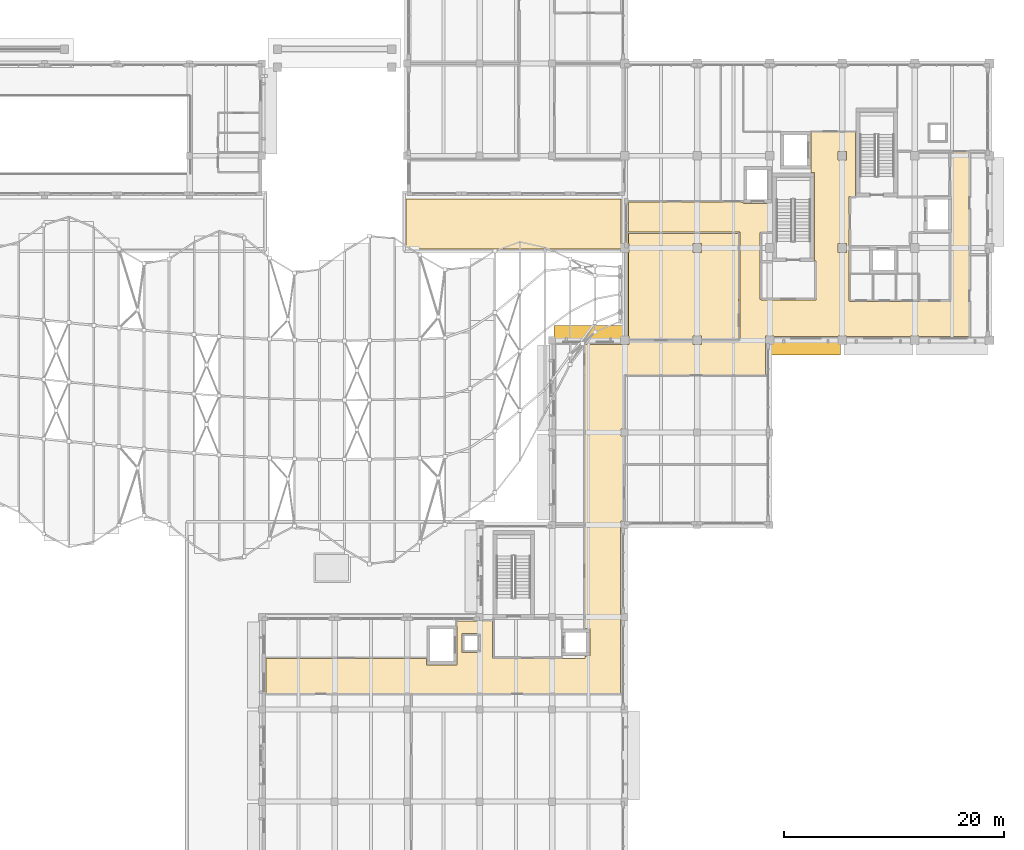
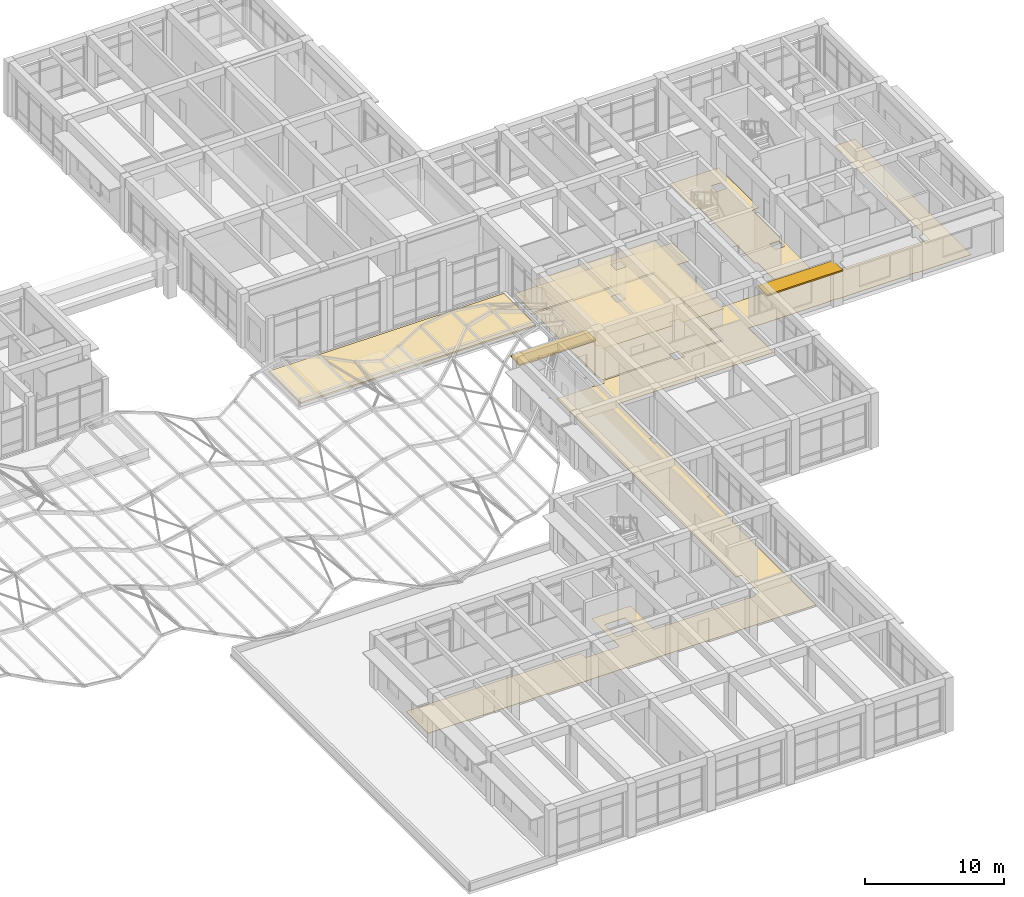
# One storey, part 76 of 79: 4 coverings, 2 shading devices.
"""IFC4 building model written with IfcOpenShell, lengths in metres."""

import ifcopenshell
import ifcopenshell.guid

model = None  # the IFC model being written
_history = None  # IfcOwnerHistory: only IFC2X3 demands one
_inside = {}  # id of a spatial element -> (the spatial element, [elements in it])
_under = {}  # id of a project, library or spatial element -> (it, [spatial elements below it])
_declared = {}  # id of a project -> (the project, [libraries it declares])
_typed = {}  # id of a type object -> (the type object, [elements of that type])
_made_of = {}  # id of a material, layer set ... -> (it, [elements and type objects made of it])


def new_model(schema):
    """Start an empty IFC model of exactly this schema.

    Asked for "IFC4X3", IfcOpenShell would pick the latest addendum, in which some entities
    have other attributes; the version numbers below select the first issue.
    IFC2X3 requires an IfcOwnerHistory on every rooted entity: one is made here for all.
    """
    global model, _history
    if schema == "IFC4X3":
        model = ifcopenshell.file(schema_version=(4, 3, 0, 0))
    else:
        model = ifcopenshell.file(schema=schema)
    _inside.clear()
    _under.clear()
    _declared.clear()
    _typed.clear()
    _made_of.clear()
    _history = None
    if model.schema == "IFC2X3":
        org = make("IfcOrganization", Name="unknown")
        user = make(
            "IfcPersonAndOrganization",
            ThePerson=make("IfcPerson", FamilyName="unknown"),
            TheOrganization=org,
        )
        app = make(
            "IfcApplication",
            ApplicationDeveloper=org,
            Version="unknown",
            ApplicationFullName="unknown",
            ApplicationIdentifier="unknown",
        )
        _history = make(
            "IfcOwnerHistory",
            OwningUser=user,
            OwningApplication=app,
            ChangeAction="ADDED",
            CreationDate=0,
        )
    return model


def make(cls, **values):
    """One entity of the class cls with the attributes given. An attribute that is None is left unset."""
    return model.create_entity(
        cls, **{name: value for name, value in values.items() if value is not None}
    )


def rooted(cls, **values):
    """An entity with a GlobalId (a new one), such as an element, a storey or a relation."""
    return make(cls, GlobalId=ifcopenshell.guid.new(), OwnerHistory=_history, **values)


def si_unit(unit_type, name, prefix=None):
    """IfcSIUnit, for example si_unit("LENGTHUNIT", "METRE", prefix="MILLI")."""
    return make("IfcSIUnit", UnitType=unit_type, Prefix=prefix, Name=name)


def assignment(units):
    """IfcUnitAssignment: the units of a project."""
    return None if units is None else make("IfcUnitAssignment", Units=units)


def point(xyz):
    """IfcCartesianPoint."""
    return None if xyz is None else make("IfcCartesianPoint", Coordinates=xyz)


def direction(xyz):
    """IfcDirection."""
    return None if xyz is None else make("IfcDirection", DirectionRatios=xyz)


def frame(location, z_axis=None, x_axis=None):
    """IfcAxis2Placement3D, a coordinate frame: its origin and axes. An axis left out is left unset."""
    return make(
        "IfcAxis2Placement3D",
        Location=point(location),
        Axis=direction(z_axis),
        RefDirection=direction(x_axis),
    )


def frame_2d(location, x_axis=None):
    """IfcAxis2Placement2D, a coordinate frame in the plane: its origin and x axis."""
    return make(
        "IfcAxis2Placement2D", Location=point(location), RefDirection=direction(x_axis)
    )


def origin():
    """The frame at (0, 0, 0) with its axes left unset."""
    return frame((0.0, 0.0, 0.0))


def origin_2d():
    """The frame at (0, 0) in the plane with its x axis left unset."""
    return frame_2d((0.0, 0.0))


def place(relative_to, where):
    """IfcLocalPlacement: puts the frame where relative to a parent placement (None: the world)."""
    return make(
        "IfcLocalPlacement", PlacementRelTo=relative_to, RelativePlacement=where
    )


def context(
    kind, dimensions, precision=None, world=None, true_north=None, identifier=None
):
    """IfcGeometricRepresentationContext, for example the 3D "Model" context."""
    return make(
        "IfcGeometricRepresentationContext",
        ContextIdentifier=identifier,
        ContextType=kind,
        CoordinateSpaceDimension=dimensions,
        Precision=precision,
        WorldCoordinateSystem=world,
        TrueNorth=true_north,
    )


def subcontext(parent, identifier, kind, view, scale=None):
    """IfcGeometricRepresentationSubContext, for example "Body" below "Model"."""
    return make(
        "IfcGeometricRepresentationSubContext",
        ContextIdentifier=identifier,
        ContextType=kind,
        ParentContext=parent,
        TargetScale=scale,
        TargetView=view,
    )


def project(units=None, contexts=None):
    """IfcProject with its units and contexts."""
    return rooted(
        "IfcProject",
        Name="project",
        RepresentationContexts=contexts,
        UnitsInContext=assignment(units),
    )


def spatial(cls, under=None, at=None, **own):
    """A site, building, storey or space (cls), placed at a placement, below another one or the project."""
    s = rooted(cls, ObjectPlacement=at, **own)
    if under is not None:
        _under.setdefault(under.id(), (under, []))[1].append(s)
    return s


def polyline(points):
    """IfcPolyline through the points."""
    return make("IfcPolyline", Points=[point(p) for p in points])


def profile(cls, at=None, kind="AREA", **sizes):
    """A parametric profile (cls). Its sizes go by their IFC names, for example OverallWidth=200.0."""
    return make(cls, ProfileType=kind, Position=at, **sizes)


def rectangle(**sizes):
    """IfcRectangleProfileDef."""
    return profile("IfcRectangleProfileDef", **sizes)


def outline(outer, holes=None, kind="AREA"):
    """IfcArbitraryClosedProfileDef: a profile drawn as a closed curve; with holes, ...WithVoids."""
    if holes is None:
        return make("IfcArbitraryClosedProfileDef", ProfileType=kind, OuterCurve=outer)
    return make(
        "IfcArbitraryProfileDefWithVoids",
        ProfileType=kind,
        OuterCurve=outer,
        InnerCurves=holes,
    )


def extrude(swept, where, along, depth):
    """IfcExtrudedAreaSolid: the profile swept, set in the frame where, extruded along a direction by depth."""
    return make(
        "IfcExtrudedAreaSolid",
        SweptArea=swept,
        Position=where,
        ExtrudedDirection=direction(along),
        Depth=depth,
    )


def shape(context_of_items, identifier, shape_type, items):
    """IfcShapeRepresentation: the items that make up one representation, for example the "Body"."""
    return make(
        "IfcShapeRepresentation",
        ContextOfItems=context_of_items,
        RepresentationIdentifier=identifier,
        RepresentationType=shape_type,
        Items=items,
    )


def material(Name=None, Category=None):
    """IfcMaterial."""
    return make("IfcMaterial", Name=Name, Category=Category)


def layer(
    of_material, thickness, ventilated=None, Name=None, Category=None, Priority=None
):
    """IfcMaterialLayer: one layer of a wall or slab, of a material (None: an air gap)."""
    return make(
        "IfcMaterialLayer",
        Material=of_material,
        LayerThickness=thickness,
        IsVentilated=ventilated,
        Name=Name,
        Category=Category,
        Priority=Priority,
    )


def layer_set(layers, Name=None):
    """IfcMaterialLayerSet."""
    return make("IfcMaterialLayerSet", MaterialLayers=layers, LayerSetName=Name)


def made_of(thing, what):
    """Note that an element or type object is made of a material, layer set ...; save() writes the relation."""
    if what is not None:
        _made_of.setdefault(what.id(), (what, []))[1].append(thing)
    return thing


def type_object(cls, material=None, **own):
    """A type object (cls), such as IfcWallType, which elements share."""
    return made_of(rooted(cls, **own), material)


def element(
    cls,
    number,
    at=None,
    inside=None,
    cuts=None,
    type_object=None,
    material=None,
    context=None,
    identifier="Body",
    shape_type=None,
    held_by="IfcProductDefinitionShape",
    body=None,
    shapes=None,
    **own,
):
    """One element of the class cls, such as IfcWall. Its Tag is "e" and its number.

    at: its placement. inside: the storey or other place that contains it. cuts: it is an
    opening in that element (IfcRelVoidsElement). A single representation is given by context,
    identifier, shape_type and body (its items); several are given by shapes. held_by: the class
    of the entity that holds the representations. save() writes the other relations.
    """
    e = rooted(cls, Tag="e%d" % number, ObjectPlacement=at, **own)
    if body is not None:
        shapes = [shape(context, identifier, shape_type, body)]
    if shapes is not None:
        e.Representation = make(held_by, Representations=shapes)
    if inside is not None:
        _inside.setdefault(inside.id(), (inside, []))[1].append(e)
    if cuts is not None:
        rooted(
            "IfcRelVoidsElement", RelatingBuildingElement=cuts, RelatedOpeningElement=e
        )
    if type_object is not None:
        _typed.setdefault(type_object.id(), (type_object, []))[1].append(e)
    return made_of(e, material)


def aggregate(whole, parts):
    """IfcRelAggregates: a whole, such as a stair, and the parts it consists of."""
    return rooted("IfcRelAggregates", RelatingObject=whole, RelatedObjects=parts)


def save(model, path):
    """Write the relations noted so far, then the file.

    IfcRelAggregates (storeys below a building ...), IfcRelContainedInSpatialStructure (elements
    in a storey), IfcRelDefinesByType, IfcRelAssociatesMaterial and IfcRelDeclares: one each for
    every whole, place, type object, material and project.
    """
    for whole, parts in _under.values():
        aggregate(whole, parts)
    for where, things in _inside.values():
        rooted(
            "IfcRelContainedInSpatialStructure",
            RelatedElements=things,
            RelatingStructure=where,
        )
    for kind, things in _typed.values():
        rooted("IfcRelDefinesByType", RelatedObjects=things, RelatingType=kind)
    for what, things in _made_of.values():
        rooted("IfcRelAssociatesMaterial", RelatedObjects=things, RelatingMaterial=what)
    for by, libraries in _declared.values():
        rooted("IfcRelDeclares", RelatingContext=by, RelatedDefinitions=libraries)
    model.write(path)


model = new_model("IFC4")

# Units and contexts
model_context = context("Model", 3, precision=1e-05, world=origin(), true_north=direction((0.0, 1.0)))
body_context = subcontext(model_context, "Body", "Model", "MODEL_VIEW")
ifc_project = project(units=[si_unit("LENGTHUNIT", "METRE"), si_unit("AREAUNIT", "SQUARE_METRE"), si_unit("VOLUMEUNIT", "CUBIC_METRE"), si_unit("PLANEANGLEUNIT", "RADIAN"), si_unit("MASSUNIT", "GRAM", prefix="KILO")], contexts=[model_context])

# Site, building, storey
site_placement = place(None, origin())
site = spatial("IfcSite", under=ifc_project, at=site_placement, CompositionType="ELEMENT")
building_placement = place(site_placement, origin())
building = spatial("IfcBuilding", under=site, at=building_placement, Name="Kolvaren Faculty of Natural Sciences", CompositionType="ELEMENT")
storey_placement = place(building_placement, frame((0.0, 0.0, 10.199951171875)))
storey = spatial("IfcBuildingStorey", under=building, at=storey_placement, Name="L02", CompositionType="ELEMENT", Elevation=10.199951171875)

# Covering
ifc_material_1 = material(Name="Perforated mineral-fibre acoustic suspended ceiling tile")
ifc_layer_1 = layer(ifc_material_1, 0.02490234375)
ifc_layer_set_1 = layer_set([ifc_layer_1], Name="Perforated mineral-fibre acoustic suspended ceiling tile")
covering_type_1 = type_object("IfcCoveringType", Name="AcousticSuspendedCeiling_25", PredefinedType="CEILING", material=ifc_layer_set_1)
covering_1_placement = place(storey_placement, frame((0.0, 0.0, 2.824951171875)))
element("IfcCovering", 1, at=covering_1_placement, inside=storey, type_object=covering_type_1, Name="L02 L02 Principal Investigator Research Laboratory acoustic ceiling", PredefinedType="CEILING", context=body_context, shape_type="SweptSolid", body=[
    extrude(outline(polyline([(139.02001953125, 67.0), (139.199951171875, 67.0), (139.199951171875, 67.800048828125), (139.02001953125, 67.800048828125), (139.02001953125, 68.8798828125), (149.280029296875, 68.8798828125), (149.280029296875, 58.919921875), (145.800048828125, 58.919921875), (145.800048828125, 59.39990234375), (145.0, 59.39990234375), (145.0, 58.919921875), (139.199951171875, 58.919921875), (139.199951171875, 59.39990234375), (139.02001953125, 59.39990234375), (139.02001953125, 67.0)]), holes=[polyline([(145.0, 67.800048828125), (145.0, 67.0), (145.800048828125, 67.0), (145.800048828125, 67.800048828125), (145.0, 67.800048828125)])]), origin(), (0.0, 0.0, 1.0), 0.025146484375),
])

# Shading devices
ifc_material_2 = material(Name="Precast concrete C35/45", Category="concrete")
ifc_layer_2 = layer(ifc_material_2, 0.1201171875)
ifc_layer_set_2 = layer_set([ifc_layer_2], Name="Precast concrete C35/45")
shading_device_type = type_object("IfcShadingDeviceType", Name="ChhajjaSolarHood_1350", PredefinedType="AWNING", material=ifc_layer_set_2)
for number, where, z_axis, x_axis, name in (
    (2, (135.5, 59.655029296875, 3.695068359375), (0.0, 0.0, 1.0), (1.0, 0.0, 0.0), "L02 precast sandstone chhajja solar hood 98"),
    (3, (155.300048828125, 58.344970703125, 3.695068359375), (0.0, 0.0, 1.0), (-1.0, 0.0, 0.0), "L02 precast sandstone chhajja solar hood 104"),
):
    element("IfcShadingDevice", number, at=place(storey_placement, frame(where, z_axis=z_axis, x_axis=x_axis)), inside=storey, type_object=shading_device_type, Name=name, PredefinedType="AWNING", context=body_context, shape_type="SweptSolid", body=[
        extrude(rectangle(XDim=6.300048828125, YDim=1.35009765625, at=origin_2d()), origin(), (0.0, 0.0, 1.0), 0.1201171875),
    ])

# Coverings
ifc_material_3 = material(Name="SBS polymer-modified bitumen waterproofing membrane over PIR insulation")
ifc_layer_3 = layer(ifc_material_3, 0.139892578125)
ifc_layer_set_3 = layer_set([ifc_layer_3], Name="SBS polymer-modified bitumen waterproofing membrane over PIR insulation")
covering_type_2 = type_object("IfcCoveringType", Name="InsulatedRoofMembrane_140", PredefinedType="ROOFING", material=ifc_layer_set_3)
covering_2_placement = place(storey_placement, origin())
element("IfcCovering", 4, at=covering_2_placement, inside=storey, type_object=covering_type_2, Name="L02 insulated warm-roof waterproofing membrane 1", PredefinedType="ROOFING", context=body_context, shape_type="SweptSolid", body=[
    extrude(outline(polyline([(118.889892578125, 71.87841796875), (118.89599609375, 71.87646484375), (118.897705078125, 71.875732421875), (118.912841796875, 71.871337890625), (118.914794921875, 71.870849609375), (118.9462890625, 71.8642578125), (118.947998046875, 71.864013671875), (118.98193359375, 71.860595703125), (118.98388671875, 71.8603515625), (119.0, 71.860107421875), (138.4599609375, 71.860107421875), (138.4599609375, 67.2900390625), (118.889892578125, 67.2900390625), (118.889892578125, 71.87841796875)])), origin(), (0.0, 0.0, 1.0), 0.14013671875),
])
ifc_material_4 = material(Name="Seamless chemical-resistant laboratory epoxy resin flooring")
ifc_layer_4 = layer(ifc_material_4, 0.02001953125)
ifc_layer_set_4 = layer_set([ifc_layer_4], Name="Seamless chemical-resistant laboratory epoxy resin flooring")
covering_type_3 = type_object("IfcCoveringType", Name="LabEpoxyFloorFinish_20", PredefinedType="FLOORING", material=ifc_layer_set_4)
covering_3_placement = place(storey_placement, origin())
element("IfcCovering", 5, at=covering_3_placement, inside=storey, type_object=covering_type_3, Name="L02 L02 Principal Investigator Research Laboratory floor finish", PredefinedType="FLOORING", context=body_context, shape_type="SweptSolid", body=[
    extrude(outline(polyline([(145.800048828125, 59.06005859375), (145.800048828125, 59.39990234375), (145.0, 59.39990234375), (145.0, 59.06005859375), (139.199951171875, 59.06005859375), (139.199951171875, 59.39990234375), (139.159912109375, 59.39990234375), (139.159912109375, 67.0), (139.199951171875, 67.0), (139.199951171875, 67.800048828125), (139.159912109375, 67.800048828125), (139.159912109375, 68.739990234375), (149.139892578125, 68.739990234375), (149.139892578125, 59.06005859375), (145.800048828125, 59.06005859375)]), holes=[polyline([(145.0, 67.800048828125), (145.0, 67.0), (145.800048828125, 67.0), (145.800048828125, 67.800048828125), (145.0, 67.800048828125)])]), origin(), (0.0, 0.0, 1.0), 0.02001953125),
])
ifc_material_5 = material(Name="Polished Uruguayan grey granite terrazzo flooring", Category="masonry")
ifc_layer_5 = layer(ifc_material_5, 0.030029296875)
ifc_layer_set_5 = layer_set([ifc_layer_5], Name="Polished Uruguayan grey granite terrazzo flooring")
covering_type_4 = type_object("IfcCoveringType", Name="TerrazzoFloorFinish_30", PredefinedType="FLOORING", material=ifc_layer_set_5)
covering_4_placement = place(storey_placement, origin())
element("IfcCovering", 6, at=covering_4_placement, inside=storey, type_object=covering_type_4, Name="L02 L02 Academic Concourse and Corridor floor finish", PredefinedType="FLOORING", context=body_context, shape_type="SweptSolid", body=[
    extrude(outline(polyline([(135.156005859375, 30.040283203125), (135.16162109375, 30.041259765625), (135.16748046875, 30.04248046875), (135.173095703125, 30.044677734375), (135.17822265625, 30.047119140625), (135.183349609375, 30.050048828125), (135.18798828125, 30.0537109375), (135.1923828125, 30.0576171875), (135.1962890625, 30.06201171875), (135.199951171875, 30.066650390625), (135.202880859375, 30.07177734375), (135.205322265625, 30.076904296875), (135.20751953125, 30.08251953125), (135.208740234375, 30.08837890625), (135.209716796875, 30.093994140625), (135.2099609375, 30.10009765625), (135.2099609375, 30.239990234375), (135.60009765625, 30.239990234375), (135.60595703125, 30.240234375), (135.61181640625, 30.2412109375), (135.617431640625, 30.24267578125), (135.623046875, 30.24462890625), (135.62841796875, 30.2470703125), (135.63330078125, 30.25), (135.63818359375, 30.253662109375), (135.642333984375, 30.257568359375), (135.646484375, 30.261962890625), (135.64990234375, 30.2666015625), (135.65283203125, 30.271728515625), (135.655517578125, 30.277099609375), (135.657470703125, 30.28271484375), (135.65869140625, 30.288330078125), (135.65966796875, 30.294189453125), (135.659912109375, 30.300048828125), (135.659912109375, 32.699951171875), (135.65966796875, 32.705810546875), (135.65869140625, 32.711669921875), (135.657470703125, 32.71728515625), (135.655517578125, 32.722900390625), (135.65283203125, 32.728271484375), (135.64990234375, 32.7333984375), (135.646484375, 32.738037109375), (135.642333984375, 32.742431640625), (135.63818359375, 32.746337890625), (135.63330078125, 32.75), (135.62841796875, 32.7529296875), (135.623046875, 32.75537109375), (135.617431640625, 32.75732421875), (135.61181640625, 32.7587890625), (135.60595703125, 32.759765625), (135.60009765625, 32.760009765625), (135.2099609375, 32.760009765625), (135.2099609375, 58.639892578125), (138.39990234375, 58.639892578125), (138.39990234375, 58.60009765625), (139.199951171875, 58.60009765625), (139.199951171875, 58.93994140625), (145.0, 58.93994140625), (145.0, 58.60009765625), (145.800048828125, 58.60009765625), (145.800048828125, 58.93994140625), (149.199951171875, 58.93994140625), (149.205810546875, 58.940185546875), (149.211669921875, 58.941162109375), (149.21728515625, 58.942626953125), (149.222900390625, 58.944580078125), (149.228271484375, 58.947021484375), (149.2333984375, 58.9501953125), (149.238037109375, 58.95361328125), (149.242431640625, 58.95751953125), (149.246337890625, 58.9619140625), (149.25, 58.966796875), (149.2529296875, 58.9716796875), (149.25537109375, 58.97705078125), (149.25732421875, 58.982666015625), (149.2587890625, 58.98828125), (149.259765625, 58.994140625), (149.260009765625, 59.0), (149.260009765625, 68.800048828125), (149.259765625, 68.805908203125), (149.2587890625, 68.811767578125), (149.25732421875, 68.8173828125), (149.25537109375, 68.822998046875), (149.2529296875, 68.828369140625), (149.25, 68.833251953125), (149.246337890625, 68.838134765625), (149.242431640625, 68.84228515625), (149.238037109375, 68.846435546875), (149.2333984375, 68.849853515625), (149.228271484375, 68.852783203125), (149.222900390625, 68.85546875), (149.21728515625, 68.857421875), (149.211669921875, 68.85888671875), (149.205810546875, 68.859619140625), (149.199951171875, 68.860107421875), (139.159912109375, 68.860107421875), (139.159912109375, 71.590087890625), (149.590087890625, 71.590087890625), (149.590087890625, 71.5), (149.59033203125, 71.494140625), (149.59130859375, 71.48828125), (149.592529296875, 71.482666015625), (149.594482421875, 71.47705078125), (149.59716796875, 71.4716796875), (149.60009765625, 71.466796875), (149.603515625, 71.4619140625), (149.607666015625, 71.45751953125), (149.61181640625, 71.45361328125), (149.61669921875, 71.4501953125), (149.62158203125, 71.447021484375), (149.626953125, 71.444580078125), (149.632568359375, 71.442626953125), (149.63818359375, 71.441162109375), (149.64404296875, 71.440185546875), (149.64990234375, 71.43994140625), (152.14990234375, 71.43994140625), (152.156005859375, 71.440185546875), (152.16162109375, 71.441162109375), (152.16748046875, 71.442626953125), (152.173095703125, 71.444580078125), (152.17822265625, 71.447021484375), (152.183349609375, 71.4501953125), (152.18798828125, 71.45361328125), (152.18994140625, 71.455322265625), (152.18994140625, 68.860107421875), (151.199951171875, 68.860107421875), (151.194091796875, 68.859619140625), (151.188232421875, 68.85888671875), (151.1826171875, 68.857421875), (151.177001953125, 68.85546875), (151.171630859375, 68.852783203125), (151.166748046875, 68.849853515625), (151.161865234375, 68.846435546875), (151.15771484375, 68.84228515625), (151.153564453125, 68.838134765625), (151.150146484375, 68.833251953125), (151.147216796875, 68.828369140625), (151.14453125, 68.822998046875), (151.142578125, 68.8173828125), (151.14111328125, 68.811767578125), (151.140380859375, 68.805908203125), (151.139892578125, 68.800048828125), (151.139892578125, 62.75), (151.140380859375, 62.744140625), (151.14111328125, 62.73828125), (151.142578125, 62.732666015625), (151.14453125, 62.72705078125), (151.147216796875, 62.7216796875), (151.150146484375, 62.716796875), (151.153564453125, 62.7119140625), (151.15771484375, 62.70751953125), (151.161865234375, 62.70361328125), (151.166748046875, 62.7001953125), (151.171630859375, 62.697021484375), (151.177001953125, 62.694580078125), (151.1826171875, 62.692626953125), (151.188232421875, 62.691162109375), (151.194091796875, 62.690185546875), (151.199951171875, 62.68994140625), (156.199951171875, 62.68994140625), (156.205810546875, 62.690185546875), (156.211669921875, 62.691162109375), (156.21728515625, 62.692626953125), (156.222900390625, 62.694580078125), (156.228271484375, 62.697021484375), (156.2333984375, 62.7001953125), (156.238037109375, 62.70361328125), (156.242431640625, 62.70751953125), (156.246337890625, 62.7119140625), (156.25, 62.716796875), (156.2529296875, 62.7216796875), (156.25537109375, 62.72705078125), (156.25732421875, 62.732666015625), (156.2587890625, 62.73828125), (156.259765625, 62.744140625), (156.260009765625, 62.75), (156.260009765625, 66.14990234375), (156.259765625, 66.156005859375), (156.2587890625, 66.16162109375), (156.25732421875, 66.16748046875), (156.25537109375, 66.173095703125), (156.2529296875, 66.17822265625), (156.25, 66.183349609375), (156.246337890625, 66.18798828125), (156.242431640625, 66.1923828125), (156.238037109375, 66.1962890625), (156.2333984375, 66.199951171875), (156.228271484375, 66.202880859375), (156.222900390625, 66.205322265625), (156.21728515625, 66.20751953125), (156.211669921875, 66.208740234375), (156.205810546875, 66.209716796875), (156.199951171875, 66.2099609375), (156.0849609375, 66.2099609375), (156.0849609375, 74.22509765625), (156.084716796875, 74.23095703125), (156.083740234375, 74.23681640625), (156.08251953125, 74.242431640625), (156.080322265625, 74.248046875), (156.077880859375, 74.25341796875), (156.074951171875, 74.25830078125), (156.0712890625, 74.26318359375), (156.0673828125, 74.267333984375), (156.06298828125, 74.271484375), (156.058349609375, 74.27490234375), (156.05322265625, 74.27783203125), (156.048095703125, 74.280517578125), (156.04248046875, 74.282470703125), (156.03662109375, 74.28369140625), (156.031005859375, 74.28466796875), (156.02490234375, 74.284912109375), (155.760009765625, 74.284912109375), (155.760009765625, 77.93994140625), (159.81494140625, 77.93994140625), (159.81494140625, 72.110107421875), (159.300048828125, 72.110107421875), (159.294189453125, 72.109619140625), (159.288330078125, 72.10888671875), (159.28271484375, 72.107421875), (159.277099609375, 72.10546875), (159.271728515625, 72.102783203125), (159.2666015625, 72.099853515625), (159.261962890625, 72.096435546875), (159.257568359375, 72.09228515625), (159.253662109375, 72.088134765625), (159.25, 72.083251953125), (159.2470703125, 72.078369140625), (159.24462890625, 72.072998046875), (159.24267578125, 72.0673828125), (159.2412109375, 72.061767578125), (159.240234375, 72.055908203125), (159.239990234375, 72.050048828125), (159.239990234375, 62.60009765625), (159.240234375, 62.593994140625), (159.2412109375, 62.58837890625), (159.24267578125, 62.58251953125), (159.24462890625, 62.576904296875), (159.2470703125, 62.57177734375), (159.25, 62.566650390625), (159.253662109375, 62.56201171875), (159.257568359375, 62.5576171875), (159.261962890625, 62.5537109375), (159.2666015625, 62.550048828125), (159.271728515625, 62.547119140625), (159.277099609375, 62.544677734375), (159.28271484375, 62.54248046875), (159.288330078125, 62.541259765625), (159.294189453125, 62.540283203125), (159.300048828125, 62.5400390625), (168.39990234375, 62.5400390625), (168.406005859375, 62.540283203125), (168.41162109375, 62.541259765625), (168.41748046875, 62.54248046875), (168.423095703125, 62.544677734375), (168.42822265625, 62.547119140625), (168.433349609375, 62.550048828125), (168.43798828125, 62.5537109375), (168.4423828125, 62.5576171875), (168.4462890625, 62.56201171875), (168.449951171875, 62.566650390625), (168.452880859375, 62.57177734375), (168.455322265625, 62.576904296875), (168.45751953125, 62.58251953125), (168.458740234375, 62.58837890625), (168.459716796875, 62.593994140625), (168.4599609375, 62.60009765625), (168.4599609375, 68.739990234375), (168.550048828125, 68.739990234375), (168.555908203125, 68.740234375), (168.561767578125, 68.7412109375), (168.5673828125, 68.74267578125), (168.572998046875, 68.74462890625), (168.578369140625, 68.7470703125), (168.583251953125, 68.75), (168.588134765625, 68.753662109375), (168.59228515625, 68.757568359375), (168.596435546875, 68.761962890625), (168.599853515625, 68.7666015625), (168.602783203125, 68.771728515625), (168.60546875, 68.777099609375), (168.607421875, 68.78271484375), (168.60888671875, 68.788330078125), (168.609619140625, 68.794189453125), (168.610107421875, 68.800048828125), (168.610107421875, 72.10009765625), (168.609619140625, 72.10595703125), (168.60888671875, 72.11181640625), (168.607421875, 72.117431640625), (168.60546875, 72.123046875), (168.602783203125, 72.12841796875), (168.599853515625, 72.13330078125), (168.596435546875, 72.13818359375), (168.59228515625, 72.142333984375), (168.588134765625, 72.146484375), (168.583251953125, 72.14990234375), (168.578369140625, 72.15283203125), (168.572998046875, 72.155517578125), (168.5673828125, 72.157470703125), (168.561767578125, 72.15869140625), (168.555908203125, 72.15966796875), (168.550048828125, 72.159912109375), (168.4599609375, 72.159912109375), (168.4599609375, 76.139892578125), (170.139892578125, 76.139892578125), (170.139892578125, 59.360107421875), (165.60009765625, 59.360107421875), (165.60009765625, 59.39990234375), (164.800048828125, 59.39990234375), (164.800048828125, 59.360107421875), (159.0, 59.360107421875), (159.0, 59.39990234375), (158.199951171875, 59.39990234375), (158.199951171875, 59.360107421875), (152.39990234375, 59.360107421875), (152.39990234375, 59.39990234375), (151.60009765625, 59.39990234375), (151.60009765625, 58.60009765625), (151.639892578125, 58.60009765625), (151.639892578125, 55.860107421875), (138.800048828125, 55.860107421875), (138.794189453125, 55.859619140625), (138.788330078125, 55.85888671875), (138.78271484375, 55.857421875), (138.777099609375, 55.85546875), (138.771728515625, 55.852783203125), (138.7666015625, 55.849853515625), (138.761962890625, 55.846435546875), (138.757568359375, 55.84228515625), (138.753662109375, 55.838134765625), (138.75, 55.833251953125), (138.7470703125, 55.828369140625), (138.74462890625, 55.822998046875), (138.74267578125, 55.8173828125), (138.7412109375, 55.811767578125), (138.740234375, 55.805908203125), (138.739990234375, 55.800048828125), (138.739990234375, 50.925048828125), (138.47509765625, 50.925048828125), (138.47509765625, 50.27490234375), (138.739990234375, 50.27490234375), (138.739990234375, 42.56005859375), (138.5, 42.56005859375), (138.494140625, 42.559814453125), (138.48828125, 42.558837890625), (138.482666015625, 42.557373046875), (138.47705078125, 42.555419921875), (138.4716796875, 42.552978515625), (138.466796875, 42.5498046875), (138.4619140625, 42.54638671875), (138.45751953125, 42.54248046875), (138.45361328125, 42.5380859375), (138.4501953125, 42.533203125), (138.447021484375, 42.5283203125), (138.444580078125, 42.52294921875), (138.442626953125, 42.517333984375), (138.441162109375, 42.51171875), (138.440185546875, 42.505859375), (138.43994140625, 42.5), (138.43994140625, 26.860107421875), (106.159912109375, 26.860107421875), (106.159912109375, 30.0400390625), (120.739990234375, 30.0400390625), (120.739990234375, 29.5), (120.740234375, 29.494140625), (120.7412109375, 29.48828125), (120.74267578125, 29.482666015625), (120.74462890625, 29.47705078125), (120.7470703125, 29.4716796875), (120.75, 29.466796875), (120.753662109375, 29.4619140625), (120.757568359375, 29.45751953125), (120.761962890625, 29.45361328125), (120.7666015625, 29.4501953125), (120.771728515625, 29.447021484375), (120.777099609375, 29.444580078125), (120.78271484375, 29.442626953125), (120.788330078125, 29.441162109375), (120.794189453125, 29.440185546875), (120.800048828125, 29.43994140625), (123.5, 29.43994140625), (123.505859375, 29.440185546875), (123.51171875, 29.441162109375), (123.517333984375, 29.442626953125), (123.52294921875, 29.444580078125), (123.5283203125, 29.447021484375), (123.533203125, 29.4501953125), (123.5380859375, 29.45361328125), (123.54248046875, 29.45751953125), (123.54638671875, 29.4619140625), (123.5498046875, 29.466796875), (123.552978515625, 29.4716796875), (123.555419921875, 29.47705078125), (123.557373046875, 29.482666015625), (123.558837890625, 29.48828125), (123.559814453125, 29.494140625), (123.56005859375, 29.5), (123.56005859375, 33.43994140625), (126.7900390625, 33.43994140625), (126.7900390625, 30.10009765625), (126.790283203125, 30.093994140625), (126.791259765625, 30.08837890625), (126.79248046875, 30.08251953125), (126.794677734375, 30.076904296875), (126.797119140625, 30.07177734375), (126.800048828125, 30.066650390625), (126.8037109375, 30.06201171875), (126.8076171875, 30.0576171875), (126.81201171875, 30.0537109375), (126.816650390625, 30.050048828125), (126.82177734375, 30.047119140625), (126.826904296875, 30.044677734375), (126.83251953125, 30.04248046875), (126.83837890625, 30.041259765625), (126.843994140625, 30.040283203125), (126.85009765625, 30.0400390625), (135.14990234375, 30.0400390625), (135.156005859375, 30.040283203125)]), holes=[polyline([(125.7197265625, 32.265869140625), (125.71875, 32.271728515625), (125.71728515625, 32.27734375), (125.71533203125, 32.282958984375), (125.712890625, 32.288330078125), (125.7099609375, 32.293212890625), (125.706298828125, 32.298095703125), (125.702392578125, 32.302490234375), (125.697998046875, 32.306396484375), (125.693359375, 32.309814453125), (125.688232421875, 32.31298828125), (125.68310546875, 32.3154296875), (125.677490234375, 32.3173828125), (125.671630859375, 32.31884765625), (125.666015625, 32.319580078125), (125.659912109375, 32.320068359375), (124.0400390625, 32.320068359375), (124.0341796875, 32.319580078125), (124.0283203125, 32.31884765625), (124.022705078125, 32.3173828125), (124.01708984375, 32.3154296875), (124.01171875, 32.31298828125), (124.006591796875, 32.309814453125), (124.001953125, 32.306396484375), (123.99755859375, 32.302490234375), (123.99365234375, 32.298095703125), (123.989990234375, 32.293212890625), (123.987060546875, 32.288330078125), (123.984619140625, 32.282958984375), (123.982666015625, 32.27734375), (123.981201171875, 32.271728515625), (123.980224609375, 32.265869140625), (123.97998046875, 32.260009765625), (123.97998046875, 30.639892578125), (123.980224609375, 30.634033203125), (123.981201171875, 30.62841796875), (123.982666015625, 30.62255859375), (123.984619140625, 30.616943359375), (123.987060546875, 30.61181640625), (123.989990234375, 30.606689453125), (123.99365234375, 30.601806640625), (123.99755859375, 30.59765625), (124.001953125, 30.593505859375), (124.006591796875, 30.590087890625), (124.01171875, 30.587158203125), (124.01708984375, 30.584716796875), (124.022705078125, 30.58251953125), (124.0283203125, 30.581298828125), (124.0341796875, 30.580322265625), (124.0400390625, 30.580078125), (125.659912109375, 30.580078125), (125.666015625, 30.580322265625), (125.671630859375, 30.581298828125), (125.677490234375, 30.58251953125), (125.68310546875, 30.584716796875), (125.688232421875, 30.587158203125), (125.693359375, 30.590087890625), (125.697998046875, 30.593505859375), (125.702392578125, 30.59765625), (125.706298828125, 30.601806640625), (125.7099609375, 30.606689453125), (125.712890625, 30.61181640625), (125.71533203125, 30.616943359375), (125.71728515625, 30.62255859375), (125.71875, 30.62841796875), (125.7197265625, 30.634033203125), (125.719970703125, 30.639892578125), (125.719970703125, 32.260009765625), (125.7197265625, 32.265869140625)]), polyline([(158.199951171875, 67.800048828125), (158.199951171875, 67.0), (159.0, 67.0), (159.0, 67.800048828125), (158.199951171875, 67.800048828125)]), polyline([(158.199951171875, 76.199951171875), (158.199951171875, 75.39990234375), (159.0, 75.39990234375), (159.0, 76.199951171875), (158.199951171875, 76.199951171875)])]), origin(), (0.0, 0.0, 1.0), 0.030029296875),
])

save(model, "model.ifc")
